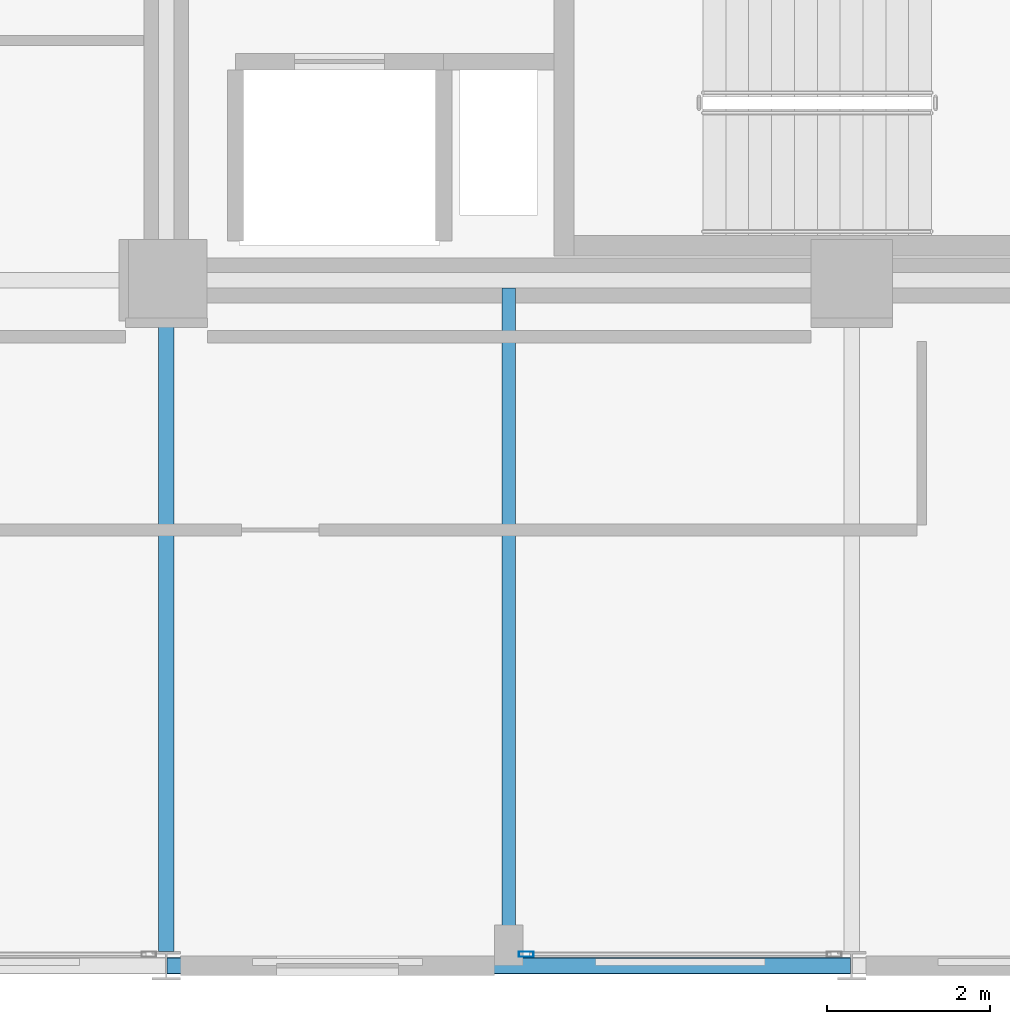
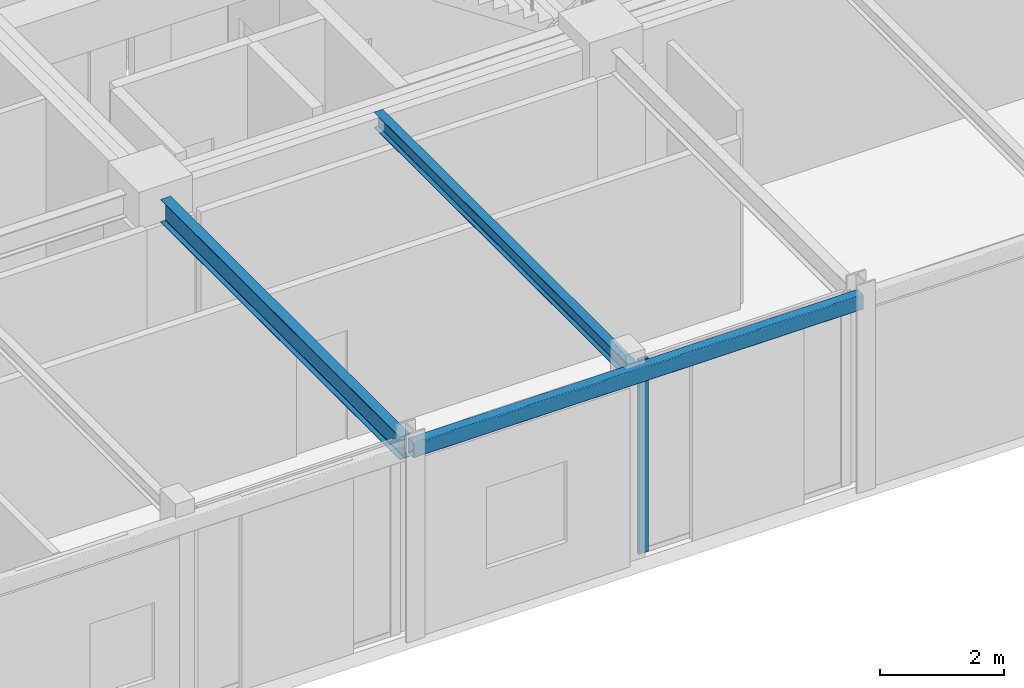
# One storey, part 7 of 29: 3 beams, 1 member, 1 element without a shape of its own.
"""IFC4 building model written with IfcOpenShell, lengths in metres."""

from ifc_helpers import new_model, si_unit, direction, frame, origin, origin_2d, place, context, subcontext, project, spatial, hollow_rectangle, i_section, extrude, material, layer, layer_set, material_profile, profile_set, type_object, element, aggregate, save


model = new_model("IFC4")

# Units and contexts
model_context = context("Model", 3, precision=1e-05, world=origin(), true_north=direction((0.0, 1.0)))
body_context = subcontext(model_context, "Body", "Model", "MODEL_VIEW")
ifc_project = project(units=[si_unit("LENGTHUNIT", "METRE"), si_unit("AREAUNIT", "SQUARE_METRE"), si_unit("VOLUMEUNIT", "CUBIC_METRE"), si_unit("PLANEANGLEUNIT", "RADIAN"), si_unit("MASSUNIT", "GRAM", prefix="KILO")], contexts=[model_context])

# Site, building, storey
site_placement = place(None, origin())
site = spatial("IfcSite", under=ifc_project, at=site_placement, CompositionType="ELEMENT")
building_placement = place(site_placement, origin())
building = spatial("IfcBuilding", under=site, at=building_placement, Name="Nerrivon Quay Data Exchange", CompositionType="ELEMENT")
storey_placement = place(building_placement, frame((0.0, 0.0, 175.5)))
storey = spatial("IfcBuildingStorey", under=building, at=storey_placement, Name="L41", CompositionType="ELEMENT", Elevation=175.5)

# Beams
ifc_material_1 = material(Name="Steel Grade 350", Category="steel")
ifc_material_profile_1 = material_profile(ifc_material_1, i_section(OverallWidth=0.18994140625, OverallDepth=0.4541015625, WebThickness=0.008544921875, FlangeThickness=0.0126953125, FilletRadius=0.011474609375, at=origin_2d()), Name="460UB67.1")
ifc_profile_set_1 = profile_set([ifc_material_profile_1], Name="Steel Grade 350")
beam_type_1 = type_object("IfcBeamType", Name="BM-G6-460UB67", PredefinedType="BEAM", material=ifc_profile_set_1)
beam_1_placement = place(storey_placement, frame((16.800048828125, 0.175048828125, 3.597900390625), z_axis=(0.0, 1.0, 0.0), x_axis=(-1.0, 0.0, 0.0)))
element("IfcBeam", 1, at=beam_1_placement, inside=storey, type_object=beam_type_1, Name="L41 NS Girder X=16.8 (0.0..8.4)", PredefinedType="BEAM", context=body_context, shape_type="SweptSolid", body=[
    extrude(i_section(OverallWidth=0.18994140625, OverallDepth=0.4541015625, WebThickness=0.008544921875, FlangeThickness=0.0126953125, FilletRadius=0.011474609375, at=origin_2d()), origin(), (0.0, 0.0, 1.0), 7.724853515625),
])
ifc_material_profile_2 = material_profile(ifc_material_1, i_section(OverallWidth=0.166015625, OverallDepth=0.306884765625, WebThickness=0.006591796875, FlangeThickness=0.01171875, FilletRadius=0.011474609375, at=origin_2d()), Name="310UB46.2")
ifc_profile_set_2 = profile_set([ifc_material_profile_2], Name="Steel Grade 350")
beam_type_2 = type_object("IfcBeamType", Name="BM-J5-310UB46", PredefinedType="JOIST", material=ifc_profile_set_2)
beam_2_placement = place(storey_placement, frame((21.0, 0.10009765625, 3.67138671875), z_axis=(0.0, 1.0, 0.0), x_axis=(-1.0, 0.0, 0.0)))
element("IfcBeam", 2, at=beam_2_placement, inside=storey, type_object=beam_type_2, Name="L41 Secondary Joist X=21.0 (0.0..8.4)", PredefinedType="JOIST", context=body_context, shape_type="SweptSolid", body=[
    extrude(i_section(OverallWidth=0.166015625, OverallDepth=0.306884765625, WebThickness=0.006591796875, FlangeThickness=0.01171875, FilletRadius=0.011474609375, at=origin_2d()), origin(), (0.0, 0.0, 1.0), 8.204345703125),
])
ifc_material_2 = material(Name="Steel Grade C350L0 (350 MPa)", Category="steel")
ifc_material_profile_3 = material_profile(ifc_material_2, hollow_rectangle(XDim=0.199951171875, YDim=0.300048828125, WallThickness=0.012451171875, InnerFilletRadius=0.018798828125, OuterFilletRadius=0.03125, at=origin_2d()), Name="300x200x12.5RHS")
ifc_profile_set_3 = profile_set([ifc_material_profile_3], Name="Steel Grade C350L0 (350 MPa)")
beam_type_3 = type_object("IfcBeamType", Name="BM-SP3-300x200RHS", PredefinedType="SPANDREL", material=ifc_profile_set_3)
beam_3_placement = place(storey_placement, frame((16.81005859375, 0.0, 3.675048828125), z_axis=(1.0, 0.0, 0.0), x_axis=(0.0, 1.0, 0.0)))
element("IfcBeam", 3, at=beam_3_placement, inside=storey, type_object=beam_type_3, Name="L41 EW Girder Y=0.0 (16.8..25.2)", PredefinedType="SPANDREL", context=body_context, shape_type="SweptSolid", body=[
    extrude(hollow_rectangle(XDim=0.199951171875, YDim=0.300048828125, WallThickness=0.012451171875, InnerFilletRadius=0.018798828125, OuterFilletRadius=0.03125, at=origin_2d()), origin(), (0.0, 0.0, 1.0), 8.3798828125),
])

# Curtain wall, member
ifc_material_3 = material(Name="Anodised aluminium 6063-T6", Category="aluminium")
ifc_layer = layer(ifc_material_3, 0.195068359375)
ifc_layer_set = layer_set([ifc_layer], Name="Anodised aluminium 6063-T6")
curtain_wall_type = type_object("IfcCurtainWallType", Name="CW-SYS-06", PredefinedType="NOTDEFINED", material=ifc_layer_set)
curtain_wall_placement = place(storey_placement, origin())
curtain_wall = element("IfcCurtainWall", 4, at=curtain_wall_placement, inside=storey, type_object=curtain_wall_type, Name="L41 Unitised Curtain Wall 24", PredefinedType="NOTDEFINED")
ifc_material_profile_4 = material_profile(ifc_material_3, hollow_rectangle(XDim=0.06494140625, YDim=0.179931640625, WallThickness=0.00341796875, at=origin_2d()), Name="ALU-MULL-180x65")
ifc_profile_set_4 = profile_set([ifc_material_profile_4], Name="Anodised aluminium 6063-T6")
member_type = type_object("IfcMemberType", Name="CWM-180x65", PredefinedType="MULLION", material=ifc_profile_set_4)
member_placement = place(storey_placement, frame((21.21240234375, 0.139892578125, 0.0), z_axis=(0.0, 0.0, 1.0), x_axis=(0.0, -1.0, 0.0)))
member = element("IfcMember", 5, at=member_placement, type_object=member_type, Name="CW06 mullion 2", PredefinedType="MULLION", context=body_context, shape_type="SweptSolid", body=[
    extrude(hollow_rectangle(XDim=0.06494140625, YDim=0.179931640625, WallThickness=0.00341796875, at=origin_2d()), origin(), (0.0, 0.0, 1.0), 3.824951171875),
])
aggregate(curtain_wall, [member])

save(model, "model.ifc")
